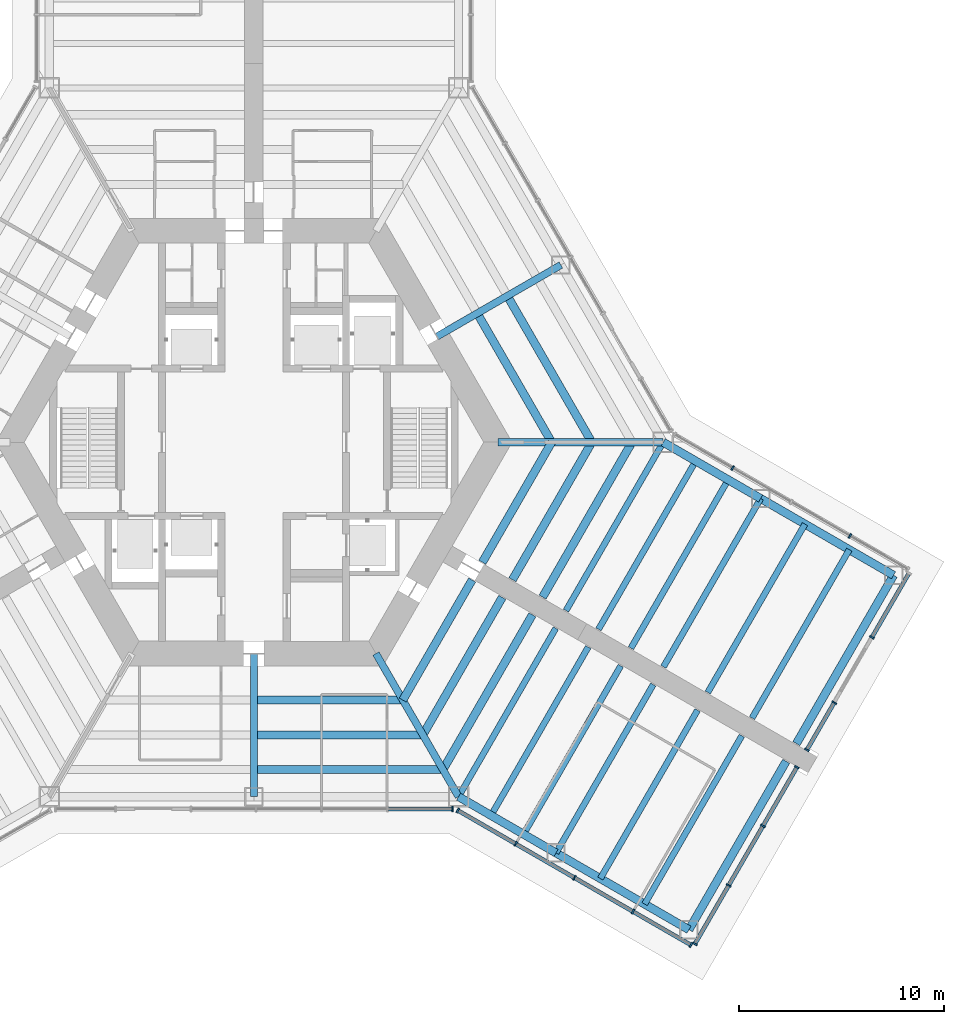
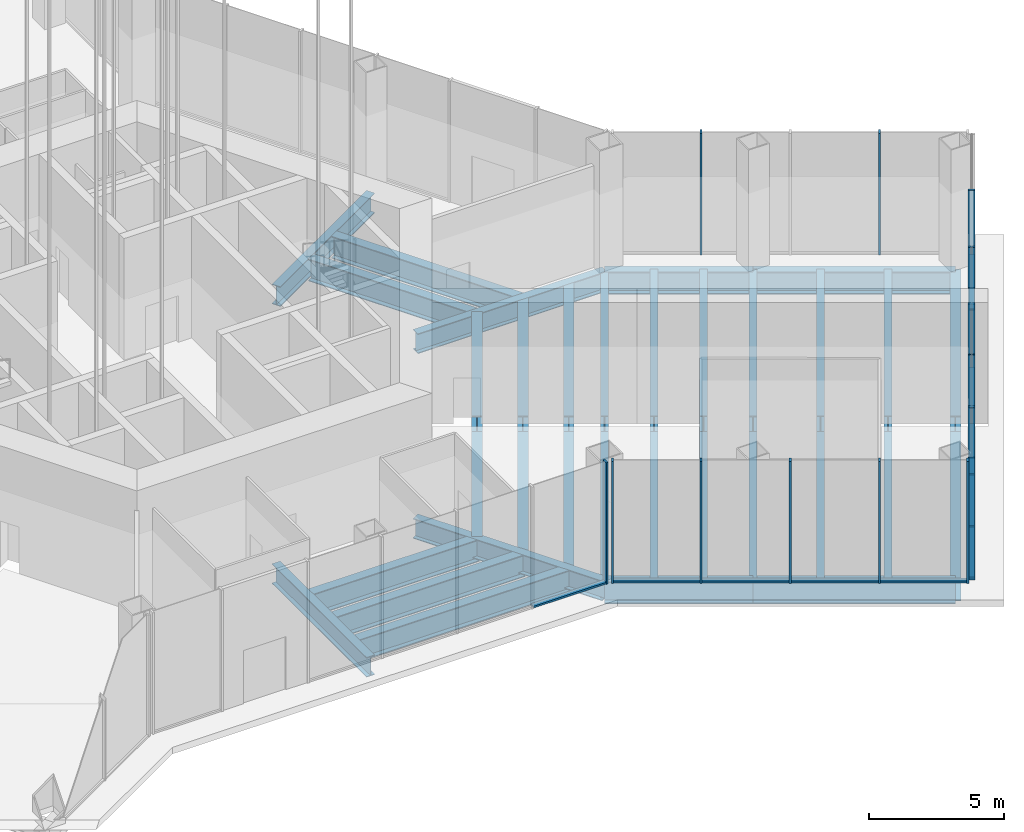
# One storey, part 4 of 18: 33 beams, 25 members, 6 elements without a shape of their own.
"""IFC4 building model written with IfcOpenShell, lengths in metres."""

from ifc_helpers import new_model, si_unit, direction, frame, origin, origin_2d, place, context, subcontext, project, spatial, rectangle, i_section, extrude, material, material_profile, profile_set, type_object, element, aggregate, save


model = new_model("IFC4")

# Units and contexts
model_context = context("Model", 3, precision=1e-05, world=origin(), true_north=direction((0.0, 1.0)))
body_context = subcontext(model_context, "Body", "Model", "MODEL_VIEW")
ifc_project = project(units=[si_unit("LENGTHUNIT", "METRE"), si_unit("AREAUNIT", "SQUARE_METRE"), si_unit("VOLUMEUNIT", "CUBIC_METRE"), si_unit("PLANEANGLEUNIT", "RADIAN"), si_unit("MASSUNIT", "GRAM", prefix="KILO")], contexts=[model_context])

# Site, building, storey
site_placement = place(None, origin())
site = spatial("IfcSite", under=ifc_project, at=site_placement, CompositionType="ELEMENT")
building_placement = place(site_placement, origin())
building = spatial("IfcBuilding", under=site, at=building_placement, Name="Kasaneha Research Tower", CompositionType="ELEMENT")
storey_placement = place(building_placement, origin())
storey = spatial("IfcBuildingStorey", under=building, at=storey_placement, Name="L01", CompositionType="ELEMENT", Elevation=0.0)

# Beams
ifc_material_1 = material(Name="Steel SN490B", Category="steel")
ifc_material_profile_1 = material_profile(ifc_material_1, i_section(OverallWidth=0.39990234375, OverallDepth=1.0, WebThickness=0.01904296875, FlangeThickness=0.035888671875, at=origin_2d()), Name="BH-1000x400x19x36")
ifc_profile_set_1 = profile_set([ifc_material_profile_1], Name="Steel SN490B")
beam_type_1 = type_object("IfcBeamType", Name="B1-0 secondary beam BH-1000x400x19x36", PredefinedType="JOIST", material=ifc_profile_set_1)
beam_1_placement = place(storey_placement, frame((14.54931640625, 0.0, -0.800048828125), z_axis=(-0.500000279077, 0.866025242659, 0.0), x_axis=(-0.866025242659, -0.500000279077, 0.0)))
element("IfcBeam", 1, at=beam_1_placement, inside=storey, type_object=beam_type_1, Name="Secondary beam RS030L1 L01", PredefinedType="JOIST", context=body_context, shape_type="SweptSolid", body=[
    extrude(i_section(OverallWidth=0.39990234375, OverallDepth=1.0, WebThickness=0.01904296875, FlangeThickness=0.035888671875, at=origin_2d()), origin(), (0.0, 0.0, 1.0), 7.099609375),
])
beam_2_placement = place(storey_placement, frame((16.51220703125, 0.0, -0.800048828125), z_axis=(-0.499992685514, 0.866029626764, 0.0), x_axis=(-0.866029626764, -0.499992685514, 0.0)))
element("IfcBeam", 2, at=beam_2_placement, inside=storey, type_object=beam_type_1, Name="Secondary beam RS030L2 L01", PredefinedType="JOIST", context=body_context, shape_type="SweptSolid", body=[
    extrude(i_section(OverallWidth=0.39990234375, OverallDepth=1.0, WebThickness=0.01904296875, FlangeThickness=0.035888671875, at=origin_2d()), origin(), (0.0, 0.0, 1.0), 8.0810546875),
])
beam_3_placement = place(storey_placement, frame((7.274658203125, -12.60009765625, -0.800048828125), z_axis=(-1.0, 0.0, 0.0), x_axis=(0.0, -1.0, 0.0)))
element("IfcBeam", 3, at=beam_3_placement, inside=storey, type_object=beam_type_1, Name="Secondary beam RS270R1 L01", PredefinedType="JOIST", context=body_context, shape_type="SweptSolid", body=[
    extrude(i_section(OverallWidth=0.39990234375, OverallDepth=1.0, WebThickness=0.01904296875, FlangeThickness=0.035888671875, at=origin_2d()), origin(), (0.0, 0.0, 1.0), 7.099609375),
])
beam_4_placement = place(storey_placement, frame((8.256103515625, -14.300048828125, -0.800048828125), z_axis=(-1.0, 0.0, 0.0), x_axis=(0.0, -1.0, 0.0)))
element("IfcBeam", 4, at=beam_4_placement, inside=storey, type_object=beam_type_1, Name="Secondary beam RS270R2 L01", PredefinedType="JOIST", context=body_context, shape_type="SweptSolid", body=[
    extrude(i_section(OverallWidth=0.39990234375, OverallDepth=1.0, WebThickness=0.01904296875, FlangeThickness=0.035888671875, at=origin_2d()), origin(), (0.0, 0.0, 1.0), 8.0810546875),
])
beam_5_placement = place(storey_placement, frame((9.237548828125, -16.0, -0.800048828125), z_axis=(-1.0, 0.0, 0.0), x_axis=(0.0, -1.0, 0.0)))
element("IfcBeam", 5, at=beam_5_placement, inside=storey, type_object=beam_type_1, Name="Secondary beam RS270R3 L01", PredefinedType="JOIST", context=body_context, shape_type="SweptSolid", body=[
    extrude(i_section(OverallWidth=0.39990234375, OverallDepth=1.0, WebThickness=0.01904296875, FlangeThickness=0.035888671875, at=origin_2d()), origin(), (0.0, 0.0, 1.0), 9.0625),
])
beam_6_placement = place(storey_placement, frame((7.274658203125, -12.60009765625, -0.800048828125), z_axis=(0.499976170333, 0.866039161412, 0.0), x_axis=(-0.866039161412, 0.499976170333, 0.0)))
element("IfcBeam", 6, at=beam_6_placement, inside=storey, type_object=beam_type_1, Name="Secondary beam RS330L1 L01", PredefinedType="JOIST", context=body_context, shape_type="SweptSolid", body=[
    extrude(i_section(OverallWidth=0.39990234375, OverallDepth=1.0, WebThickness=0.01904296875, FlangeThickness=0.035888671875, at=origin_2d()), origin(), (0.0, 0.0, 1.0), 6.774658203125),
])
beam_7_placement = place(storey_placement, frame((8.256103515625, -14.300048828125, -0.800048828125), z_axis=(0.500008546953, 0.866020469142, 0.0), x_axis=(-0.866020469142, 0.500008546953, 0.0)))
element("IfcBeam", 7, at=beam_7_placement, inside=storey, type_object=beam_type_1, Name="Secondary beam RS330L2 L01", PredefinedType="JOIST", context=body_context, shape_type="SweptSolid", body=[
    extrude(i_section(OverallWidth=0.39990234375, OverallDepth=1.0, WebThickness=0.01904296875, FlangeThickness=0.035888671875, at=origin_2d()), origin(), (0.0, 0.0, 1.0), 7.756103515625),
])
beam_8_placement = place(storey_placement, frame((9.237548828125, -16.0, -0.800048828125), z_axis=(0.500012694249, 0.866018074632, 0.0), x_axis=(-0.866018074632, 0.500012694249, 0.0)))
element("IfcBeam", 8, at=beam_8_placement, inside=storey, type_object=beam_type_1, Name="Secondary beam RS330L3 L01", PredefinedType="JOIST", context=body_context, shape_type="SweptSolid", body=[
    extrude(i_section(OverallWidth=0.39990234375, OverallDepth=1.0, WebThickness=0.01904296875, FlangeThickness=0.035888671875, at=origin_2d()), origin(), (0.0, 0.0, 1.0), 8.737548828125),
])
beam_9_placement = place(storey_placement, frame((14.54931640625, 0.0, -0.800048828125), z_axis=(-0.500018802781, -0.866014547721, 0.0), x_axis=(0.866014547721, -0.500018802781, 0.0)))
element("IfcBeam", 9, at=beam_9_placement, inside=storey, type_object=beam_type_1, Name="Secondary beam RS330R1 L01", PredefinedType="JOIST", context=body_context, shape_type="SweptSolid", body=[
    extrude(i_section(OverallWidth=0.39990234375, OverallDepth=1.0, WebThickness=0.01904296875, FlangeThickness=0.035888671875, at=origin_2d()), origin(), (0.0, 0.0, 1.0), 6.774658203125),
])
beam_10_placement = place(storey_placement, frame((16.51220703125, 0.0, -0.800048828125), z_axis=(-0.499984939085, -0.866034099033, 0.0), x_axis=(0.866034099033, -0.499984939085, 0.0)))
element("IfcBeam", 10, at=beam_10_placement, inside=storey, type_object=beam_type_1, Name="Secondary beam RS330R2 L01", PredefinedType="JOIST", context=body_context, shape_type="SweptSolid", body=[
    extrude(i_section(OverallWidth=0.39990234375, OverallDepth=1.0, WebThickness=0.01904296875, FlangeThickness=0.035888671875, at=origin_2d()), origin(), (0.0, 0.0, 1.0), 7.756103515625),
])
beam_11_placement = place(storey_placement, frame((18.47509765625, 0.0, -0.800048828125), z_axis=(-0.499991738058, -0.866030173766, 0.0), x_axis=(0.866030173766, -0.499991738058, 0.0)))
element("IfcBeam", 11, at=beam_11_placement, inside=storey, type_object=beam_type_1, Name="Secondary beam RS330R3 L01", PredefinedType="JOIST", context=body_context, shape_type="SweptSolid", body=[
    extrude(i_section(OverallWidth=0.39990234375, OverallDepth=1.0, WebThickness=0.01904296875, FlangeThickness=0.035888671875, at=origin_2d()), origin(), (0.0, 0.0, 1.0), 8.737548828125),
])
ifc_material_2 = material(Name="Steel SN490B", Category="steel")
ifc_material_profile_2 = material_profile(ifc_material_2, i_section(OverallWidth=0.300048828125, OverallDepth=0.800048828125, WebThickness=0.013916015625, FlangeThickness=0.02587890625, FilletRadius=0.01806640625, at=origin_2d()), Name="H-800x300x14x26")
ifc_profile_set_2 = profile_set([ifc_material_profile_2], Name="Steel SN490B")
beam_type_2 = type_object("IfcBeamType", Name="B2-0 secondary beam H-800x300x14x26", PredefinedType="JOIST", material=ifc_profile_set_2)
beam_12_placement = place(storey_placement, frame((11.587646484375, -18.237060546875, -0.699951171875), z_axis=(0.500008685663, 0.866020389056, 0.0), x_axis=(-0.866020389056, 0.500008685663, 0.0)))
element("IfcBeam", 12, at=beam_12_placement, inside=storey, type_object=beam_type_2, Name="Secondary beam WBCP1 L01", PredefinedType="JOIST", context=body_context, shape_type="SweptSolid", body=[
    extrude(i_section(OverallWidth=0.300048828125, OverallDepth=0.800048828125, WebThickness=0.013916015625, FlangeThickness=0.02587890625, FilletRadius=0.01806640625, at=origin_2d()), origin(), (0.0, 0.0, 1.0), 9.499755859375),
])
for number, where, z_axis, x_axis, name in (
    (13, (13.175537109375, -19.15380859375, -0.699951171875), (0.499997557548, 0.86602681393, 0.0), (-0.86602681393, 0.499997557548, 0.0), "Secondary beam WBCP2 L01"),
    (14, (16.92822265625, -21.320556640625, -0.699951171875), (0.499997557548, 0.86602681393, 0.0), (-0.86602681393, 0.499997557548, 0.0), "Secondary beam WBCP3 L01"),
    (15, (19.09326171875, -22.570556640625, -0.699951171875), (0.499997557548, 0.86602681393, 0.0), (-0.86602681393, 0.499997557548, 0.0), "Secondary beam WBCP4 L01"),
):
    element("IfcBeam", number, at=place(storey_placement, frame(where, z_axis=z_axis, x_axis=x_axis)), inside=storey, type_object=beam_type_2, Name=name, PredefinedType="JOIST", context=body_context, shape_type="SweptSolid", body=[
        extrude(i_section(OverallWidth=0.300048828125, OverallDepth=0.800048828125, WebThickness=0.013916015625, FlangeThickness=0.02587890625, FilletRadius=0.01806640625, at=origin_2d()), origin(), (0.0, 0.0, 1.0), 9.5),
    ])
beam_13_placement = place(storey_placement, frame((21.587646484375, -0.916748046875, -0.699951171875), z_axis=(-0.500008685663, -0.866020389056, 0.0), x_axis=(0.866020389056, -0.500008685663, 0.0)))
element("IfcBeam", 16, at=beam_13_placement, inside=storey, type_object=beam_type_2, Name="Secondary beam WBCN1 L01", PredefinedType="JOIST", context=body_context, shape_type="SweptSolid", body=[
    extrude(i_section(OverallWidth=0.300048828125, OverallDepth=0.800048828125, WebThickness=0.013916015625, FlangeThickness=0.02587890625, FilletRadius=0.01806640625, at=origin_2d()), origin(), (0.0, 0.0, 1.0), 9.499755859375),
])
for number, where, z_axis, x_axis, name in (
    (17, (23.175537109375, -1.833251953125, -0.699951171875), (-0.499997557548, -0.86602681393, 0.0), (0.86602681393, -0.499997557548, 0.0), "Secondary beam WBCN2 L01"),
    (18, (26.92822265625, -4.0, -0.699951171875), (-0.499997557548, -0.86602681393, 0.0), (0.86602681393, -0.499997557548, 0.0), "Secondary beam WBCN3 L01"),
    (19, (29.09326171875, -5.25, -0.699951171875), (-0.499997557548, -0.86602681393, 0.0), (0.86602681393, -0.499997557548, 0.0), "Secondary beam WBCN4 L01"),
):
    element("IfcBeam", number, at=place(storey_placement, frame(where, z_axis=z_axis, x_axis=x_axis)), inside=storey, type_object=beam_type_2, Name=name, PredefinedType="JOIST", context=body_context, shape_type="SweptSolid", body=[
        extrude(i_section(OverallWidth=0.300048828125, OverallDepth=0.800048828125, WebThickness=0.013916015625, FlangeThickness=0.02587890625, FilletRadius=0.01806640625, at=origin_2d()), origin(), (0.0, 0.0, 1.0), 9.5),
    ])

# Curtain wall, member
ifc_material_3 = material(Name="Glass and aluminium", Category="aluminium")
curtain_wall_type = type_object("IfcCurtainWallType", Name="Entrance hall curtain wall", PredefinedType="USERDEFINED", material=ifc_material_3)
curtain_wall_1_placement = place(storey_placement, origin())
curtain_wall_1 = element("IfcCurtainWall", 20, at=curtain_wall_1_placement, inside=storey, type_object=curtain_wall_type, Name="CW-H L01 run 02c", ObjectType="UNITISED CURTAIN WALL", PredefinedType="USERDEFINED")
ifc_material_4 = material(Name="Aluminium 6063-T6", Category="aluminium")
ifc_material_profile_3 = material_profile(ifc_material_4, rectangle(XDim=0.080078125, YDim=0.25, at=origin_2d()), Name="CW-H mullion 80x250")
ifc_profile_set_3 = profile_set([ifc_material_profile_3], Name="Aluminium 6063-T6")
member_type_1 = type_object("IfcMemberType", Name="CW-H mullion", PredefinedType="MULLION", material=ifc_profile_set_3)
member_1_placement = place(storey_placement, frame((9.69921875, -17.92041015625, 0.0), z_axis=(0.0, 0.0, 1.0), x_axis=(1.0, 0.0, 0.0)))
member_1 = element("IfcMember", 21, at=member_1_placement, type_object=member_type_1, Name="CW-H mullion 5", PredefinedType="MULLION", context=body_context, shape_type="SweptSolid", body=[
    extrude(rectangle(XDim=0.080078125, YDim=0.25, at=origin_2d()), origin(), (0.0, 0.0, 1.0), 5.5),
])

# Curtain wall, members
curtain_wall_2_placement = place(storey_placement, origin())
curtain_wall_2 = element("IfcCurtainWall", 22, at=curtain_wall_2_placement, inside=storey, type_object=curtain_wall_type, Name="CW-H L01 run 03a", ObjectType="UNITISED CURTAIN WALL", PredefinedType="USERDEFINED")
member_2_placement = place(storey_placement, frame((9.96044921875, -17.990478515625, 0.0), z_axis=(0.0, 0.0, 1.0), x_axis=(0.866025411464, -0.499999986699, 0.0)))
member_2 = element("IfcMember", 23, at=member_2_placement, type_object=member_type_1, Name="CW-H mullion 1", PredefinedType="MULLION", context=body_context, shape_type="SweptSolid", body=[
    extrude(rectangle(XDim=0.080078125, YDim=0.25, at=origin_2d()), origin(), (0.0, 0.0, 1.0), 5.5),
])
member_3_placement = place(storey_placement, frame((12.792236328125, -19.62548828125, 0.0), z_axis=(0.0, 0.0, 1.0), x_axis=(0.866025411464, -0.499999986699, 0.0)))
member_3 = element("IfcMember", 24, at=member_3_placement, type_object=member_type_1, Name="CW-H mullion 2", PredefinedType="MULLION", context=body_context, shape_type="SweptSolid", body=[
    extrude(rectangle(XDim=0.080078125, YDim=0.25, at=origin_2d()), origin(), (0.0, 0.0, 1.0), 5.5),
])
member_4_placement = place(storey_placement, frame((15.65869140625, -21.2802734375, 0.0), z_axis=(0.0, 0.0, 1.0), x_axis=(0.866025411464, -0.499999986699, 0.0)))
member_4 = element("IfcMember", 25, at=member_4_placement, type_object=member_type_1, Name="CW-H mullion 3", PredefinedType="MULLION", context=body_context, shape_type="SweptSolid", body=[
    extrude(rectangle(XDim=0.080078125, YDim=0.25, at=origin_2d()), origin(), (0.0, 0.0, 1.0), 5.5),
])
member_5_placement = place(storey_placement, frame((18.52490234375, -22.935302734375, 0.0), z_axis=(0.0, 0.0, 1.0), x_axis=(0.866025411464, -0.499999986699, 0.0)))
member_5 = element("IfcMember", 26, at=member_5_placement, type_object=member_type_1, Name="CW-H mullion 4", PredefinedType="MULLION", context=body_context, shape_type="SweptSolid", body=[
    extrude(rectangle(XDim=0.080078125, YDim=0.25, at=origin_2d()), origin(), (0.0, 0.0, 1.0), 5.5),
])
member_6_placement = place(storey_placement, frame((21.356689453125, -24.570068359375, 0.0), z_axis=(0.0, 0.0, 1.0), x_axis=(0.866025411464, -0.499999986699, 0.0)))
member_6 = element("IfcMember", 27, at=member_6_placement, type_object=member_type_1, Name="CW-H mullion 5", PredefinedType="MULLION", context=body_context, shape_type="SweptSolid", body=[
    extrude(rectangle(XDim=0.080078125, YDim=0.25, at=origin_2d()), origin(), (0.0, 0.0, 1.0), 5.5),
])

curtain_wall_3_placement = place(storey_placement, origin())
curtain_wall_3 = element("IfcCurtainWall", 28, at=curtain_wall_3_placement, inside=storey, type_object=curtain_wall_type, Name="CW-H L01 run 04a", ObjectType="UNITISED CURTAIN WALL", PredefinedType="USERDEFINED")
member_7_placement = place(storey_placement, frame((21.5478515625, -24.518798828125, 0.0), z_axis=(0.0, 0.0, 1.0), x_axis=(0.500000011442, 0.866025397178, 0.0)))
member_7 = element("IfcMember", 29, at=member_7_placement, type_object=member_type_1, Name="CW-H mullion 1", PredefinedType="MULLION", context=body_context, shape_type="SweptSolid", body=[
    extrude(rectangle(XDim=0.080078125, YDim=0.25, at=origin_2d()), origin(), (0.0, 0.0, 1.0), 5.5),
])
member_8_placement = place(storey_placement, frame((23.202880859375, -21.65234375, 0.0), z_axis=(0.0, 0.0, 1.0), x_axis=(0.500000011442, 0.866025397178, 0.0)))
member_8 = element("IfcMember", 30, at=member_8_placement, type_object=member_type_1, Name="CW-H mullion 2", PredefinedType="MULLION", context=body_context, shape_type="SweptSolid", body=[
    extrude(rectangle(XDim=0.080078125, YDim=0.25, at=origin_2d()), origin(), (0.0, 0.0, 1.0), 5.5),
])
member_9_placement = place(storey_placement, frame((24.8779296875, -18.751220703125, 0.0), z_axis=(0.0, 0.0, 1.0), x_axis=(0.500000011442, 0.866025397178, 0.0)))
member_9 = element("IfcMember", 31, at=member_9_placement, type_object=member_type_1, Name="CW-H mullion 3", PredefinedType="MULLION", context=body_context, shape_type="SweptSolid", body=[
    extrude(rectangle(XDim=0.080078125, YDim=0.25, at=origin_2d()), origin(), (0.0, 0.0, 1.0), 5.5),
])
member_10_placement = place(storey_placement, frame((26.532958984375, -15.884521484375, 0.0), z_axis=(0.0, 0.0, 1.0), x_axis=(0.500000011442, 0.866025397178, 0.0)))
member_10 = element("IfcMember", 32, at=member_10_placement, type_object=member_type_1, Name="CW-H mullion 4", PredefinedType="MULLION", context=body_context, shape_type="SweptSolid", body=[
    extrude(rectangle(XDim=0.080078125, YDim=0.25, at=origin_2d()), origin(), (0.0, 0.0, 1.0), 5.5),
])

curtain_wall_4_placement = place(storey_placement, origin())
curtain_wall_4 = element("IfcCurtainWall", 33, at=curtain_wall_4_placement, inside=storey, type_object=curtain_wall_type, Name="CW-H L01 run 05a", ObjectType="UNITISED CURTAIN WALL", PredefinedType="USERDEFINED")
member_11_placement = place(storey_placement, frame((27.02294921875, -15.035888671875, 0.0), z_axis=(0.0, 0.0, 1.0), x_axis=(0.500000011442, 0.866025397178, 0.0)))
member_11 = element("IfcMember", 34, at=member_11_placement, type_object=member_type_1, Name="CW-H mullion 1", PredefinedType="MULLION", context=body_context, shape_type="SweptSolid", body=[
    extrude(rectangle(XDim=0.080078125, YDim=0.25, at=origin_2d()), origin(), (0.0, 0.0, 1.0), 5.5),
])
member_12_placement = place(storey_placement, frame((28.35791015625, -12.7236328125, 0.0), z_axis=(0.0, 0.0, 1.0), x_axis=(0.500000011442, 0.866025397178, 0.0)))
member_12 = element("IfcMember", 35, at=member_12_placement, type_object=member_type_1, Name="CW-H mullion 2", PredefinedType="MULLION", context=body_context, shape_type="SweptSolid", body=[
    extrude(rectangle(XDim=0.080078125, YDim=0.25, at=origin_2d()), origin(), (0.0, 0.0, 1.0), 5.5),
])

# Curtain wall, member
curtain_wall_5_placement = place(storey_placement, origin())
curtain_wall_5 = element("IfcCurtainWall", 36, at=curtain_wall_5_placement, inside=storey, type_object=curtain_wall_type, Name="CW-H L01 run 05c", ObjectType="UNITISED CURTAIN WALL", PredefinedType="USERDEFINED")
member_13_placement = place(storey_placement, frame((30.197998046875, -9.53662109375, 0.0), z_axis=(0.0, 0.0, 1.0), x_axis=(0.500000011442, 0.866025397178, 0.0)))
member_13 = element("IfcMember", 37, at=member_13_placement, type_object=member_type_1, Name="CW-H mullion 1", PredefinedType="MULLION", context=body_context, shape_type="SweptSolid", body=[
    extrude(rectangle(XDim=0.080078125, YDim=0.25, at=origin_2d()), origin(), (0.0, 0.0, 1.0), 5.5),
])

# Curtain wall, members
curtain_wall_6_placement = place(storey_placement, origin())
curtain_wall_6 = element("IfcCurtainWall", 38, at=curtain_wall_6_placement, inside=storey, type_object=curtain_wall_type, Name="CW-H L01 run 06a", ObjectType="UNITISED CURTAIN WALL", PredefinedType="USERDEFINED")
member_14_placement = place(storey_placement, frame((29.125, -4.575439453125, 0.0), z_axis=(0.0, 0.0, 1.0), x_axis=(-0.866025411464, 0.499999986699, 0.0)))
member_14 = element("IfcMember", 39, at=member_14_placement, type_object=member_type_1, Name="CW-H mullion 2", PredefinedType="MULLION", context=body_context, shape_type="SweptSolid", body=[
    extrude(rectangle(XDim=0.080078125, YDim=0.25, at=origin_2d()), origin(), (0.0, 0.0, 1.0), 5.5),
])
member_15_placement = place(storey_placement, frame((23.39208984375, -1.265625, 0.0), z_axis=(0.0, 0.0, 1.0), x_axis=(-0.866025411464, 0.499999986699, 0.0)))
member_15 = element("IfcMember", 40, at=member_15_placement, type_object=member_type_1, Name="CW-H mullion 4", PredefinedType="MULLION", context=body_context, shape_type="SweptSolid", body=[
    extrude(rectangle(XDim=0.080078125, YDim=0.25, at=origin_2d()), origin(), (0.0, 0.0, 1.0), 5.5),
])
aggregate(curtain_wall_6, [member_14, member_15])

# Member
ifc_material_5 = material(Name="Aluminium 6063-T6", Category="aluminium")
ifc_material_profile_4 = material_profile(ifc_material_5, rectangle(XDim=0.199951171875, YDim=0.080078125, at=origin_2d()), Name="CW-H transom 200x80")
ifc_profile_set_4 = profile_set([ifc_material_profile_4], Name="Aluminium 6063-T6")
member_type_2 = type_object("IfcMemberType", Name="CW-H transom", PredefinedType="USERDEFINED", material=ifc_profile_set_4)
member_16_placement = place(storey_placement, frame((6.564453125, -17.92041015625, 0.0400390625), z_axis=(1.0, 0.0, 0.0), x_axis=(0.0, 1.0, 0.0)))
member_16 = element("IfcMember", 41, at=member_16_placement, type_object=member_type_2, Name="CW-H transom 4", ObjectType="TRANSOM", PredefinedType="USERDEFINED", context=body_context, shape_type="SweptSolid", body=[
    extrude(rectangle(XDim=0.199951171875, YDim=0.080078125, at=origin_2d()), origin(), (0.0, 0.0, 1.0), 3.0947265625),
])

aggregate(curtain_wall_1, [member_1, member_16])

member_17_placement = place(storey_placement, frame((9.9951171875, -18.010498046875, 0.0400390625), z_axis=(0.866016067539, -0.500016170502, 0.0), x_axis=(0.500016170502, 0.866016067539, 0.0)))
member_17 = element("IfcMember", 42, at=member_17_placement, type_object=member_type_2, Name="CW-H transom 1", ObjectType="TRANSOM", PredefinedType="USERDEFINED", context=body_context, shape_type="SweptSolid", body=[
    extrude(rectangle(XDim=0.199951171875, YDim=0.080078125, at=origin_2d()), origin(), (0.0, 0.0, 1.0), 3.18994140625),
])

member_18_placement = place(storey_placement, frame((12.826904296875, -19.6455078125, 0.0400390625), z_axis=(0.866048381815, -0.499960198771, 0.0), x_axis=(0.499960198771, 0.866048381815, 0.0)))
member_18 = element("IfcMember", 43, at=member_18_placement, type_object=member_type_2, Name="CW-H transom 2", ObjectType="TRANSOM", PredefinedType="USERDEFINED", context=body_context, shape_type="SweptSolid", body=[
    extrude(rectangle(XDim=0.199951171875, YDim=0.080078125, at=origin_2d()), origin(), (0.0, 0.0, 1.0), 3.229736328125),
])

member_19_placement = place(storey_placement, frame((15.693115234375, -21.30029296875, 0.0400390625), z_axis=(0.866015650984, -0.500016891966, 0.0), x_axis=(0.500016891966, 0.866015650984, 0.0)))
member_19 = element("IfcMember", 44, at=member_19_placement, type_object=member_type_2, Name="CW-H transom 3", ObjectType="TRANSOM", PredefinedType="USERDEFINED", context=body_context, shape_type="SweptSolid", body=[
    extrude(rectangle(XDim=0.199951171875, YDim=0.080078125, at=origin_2d()), origin(), (0.0, 0.0, 1.0), 3.22998046875),
])

member_20_placement = place(storey_placement, frame((18.5595703125, -22.955322265625, 0.0400390625), z_axis=(0.866049209109, -0.499958765701, 0.0), x_axis=(0.499958765701, 0.866049209109, 0.0)))
member_20 = element("IfcMember", 45, at=member_20_placement, type_object=member_type_2, Name="CW-H transom 4", ObjectType="TRANSOM", PredefinedType="USERDEFINED", context=body_context, shape_type="SweptSolid", body=[
    extrude(rectangle(XDim=0.199951171875, YDim=0.080078125, at=origin_2d()), origin(), (0.0, 0.0, 1.0), 3.189697265625),
])

aggregate(curtain_wall_2, [member_2, member_3, member_4, member_5, member_6, member_17, member_18, member_19, member_20])

member_21_placement = place(storey_placement, frame((21.56787109375, -24.484130859375, 0.0400390625), z_axis=(0.500016891966, 0.866015650984, 0.0), x_axis=(-0.866015650984, 0.500016891966, 0.0)))
member_21 = element("IfcMember", 46, at=member_21_placement, type_object=member_type_2, Name="CW-H transom 1", ObjectType="TRANSOM", PredefinedType="USERDEFINED", context=body_context, shape_type="SweptSolid", body=[
    extrude(rectangle(XDim=0.199951171875, YDim=0.080078125, at=origin_2d()), origin(), (0.0, 0.0, 1.0), 3.22998046875),
])

member_22_placement = place(storey_placement, frame((23.222900390625, -21.61767578125, 0.0400390625), z_axis=(0.500017595764, 0.866015244627, 0.0), x_axis=(-0.866015244627, 0.500017595764, 0.0)))
member_22 = element("IfcMember", 47, at=member_22_placement, type_object=member_type_2, Name="CW-H transom 2", ObjectType="TRANSOM", PredefinedType="USERDEFINED", context=body_context, shape_type="SweptSolid", body=[
    extrude(rectangle(XDim=0.199951171875, YDim=0.080078125, at=origin_2d()), origin(), (0.0, 0.0, 1.0), 3.27001953125),
])

member_23_placement = place(storey_placement, frame((24.89794921875, -18.716552734375, 0.0400390625), z_axis=(0.499984162302, 0.866034547491, 0.0), x_axis=(-0.866034547491, 0.499984162302, 0.0)))
member_23 = element("IfcMember", 48, at=member_23_placement, type_object=member_type_2, Name="CW-H transom 3", ObjectType="TRANSOM", PredefinedType="USERDEFINED", context=body_context, shape_type="SweptSolid", body=[
    extrude(rectangle(XDim=0.199951171875, YDim=0.080078125, at=origin_2d()), origin(), (0.0, 0.0, 1.0), 3.22998046875),
])

aggregate(curtain_wall_3, [member_7, member_8, member_9, member_10, member_21, member_22, member_23])

member_24_placement = place(storey_placement, frame((27.04296875, -15.001220703125, 0.0400390625), z_axis=(0.499991733496, 0.8660301764, 0.0), x_axis=(-0.8660301764, 0.499991733496, 0.0)))
member_24 = element("IfcMember", 49, at=member_24_placement, type_object=member_type_2, Name="CW-H transom 1", ObjectType="TRANSOM", PredefinedType="USERDEFINED", context=body_context, shape_type="SweptSolid", body=[
    extrude(rectangle(XDim=0.199951171875, YDim=0.080078125, at=origin_2d()), origin(), (0.0, 0.0, 1.0), 2.58984375),
])

aggregate(curtain_wall_4, [member_11, member_12, member_24])

member_25_placement = place(storey_placement, frame((30.218017578125, -9.501953125, 0.0400390625), z_axis=(0.500011000363, 0.866019052629, 0.0), x_axis=(-0.866019052629, 0.500011000363, 0.0)))
member_25 = element("IfcMember", 50, at=member_25_placement, type_object=member_type_2, Name="CW-H transom 1", ObjectType="TRANSOM", PredefinedType="USERDEFINED", context=body_context, shape_type="SweptSolid", body=[
    extrude(rectangle(XDim=0.199951171875, YDim=0.080078125, at=origin_2d()), origin(), (0.0, 0.0, 1.0), 3.5400390625),
])

aggregate(curtain_wall_5, [member_13, member_25])

# Beams
ifc_material_6 = material(Name="Steel SN490B", Category="steel")
ifc_material_profile_5 = material_profile(ifc_material_6, i_section(OverallWidth=0.35009765625, OverallDepth=0.89990234375, WebThickness=0.01611328125, FlangeThickness=0.031982421875, at=origin_2d()), Name="BH-900x350x16x32")
ifc_profile_set_5 = profile_set([ifc_material_profile_5], Name="Steel SN490B")
beam_type_3 = type_object("IfcBeamType", Name="G1-0 radial girder BH-900x350x16x32", PredefinedType="BEAM", material=ifc_profile_set_5)
beam_14_placement = place(storey_placement, frame((11.92236328125, 0.0, -0.75), z_axis=(1.0, 0.0, 0.0), x_axis=(0.0, 1.0, 0.0)))
element("IfcBeam", 51, at=beam_14_placement, inside=storey, type_object=beam_type_3, Name="Radial girder RV000 L01", PredefinedType="BEAM", context=body_context, shape_type="SweptSolid", body=[
    extrude(i_section(OverallWidth=0.35009765625, OverallDepth=0.89990234375, WebThickness=0.01611328125, FlangeThickness=0.031982421875, at=origin_2d()), origin(), (0.0, 0.0, 1.0), 8.07763671875),
])
beam_15_placement = place(storey_placement, frame((5.961181640625, -10.324951171875, -0.75), z_axis=(0.49999105496, -0.866030568144, 0.0), x_axis=(0.866030568144, 0.49999105496, 0.0)))
element("IfcBeam", 52, at=beam_15_placement, inside=storey, type_object=beam_type_3, Name="Radial girder RV300 L01", PredefinedType="BEAM", context=body_context, shape_type="SweptSolid", body=[
    extrude(i_section(OverallWidth=0.35009765625, OverallDepth=0.89990234375, WebThickness=0.01611328125, FlangeThickness=0.031982421875, at=origin_2d()), origin(), (0.0, 0.0, 1.0), 8.077880859375),
])
ifc_material_7 = material(Name="Steel SN490B", Category="steel")
ifc_material_profile_6 = material_profile(ifc_material_7, i_section(OverallWidth=0.35009765625, OverallDepth=0.89990234375, WebThickness=0.01611328125, FlangeThickness=0.031982421875, at=origin_2d()), Name="BH-900x350x16x32")
ifc_profile_set_6 = profile_set([ifc_material_profile_6], Name="Steel SN490B")
beam_type_4 = type_object("IfcBeamType", Name="G2-0 radial girder BH-900x350x16x32", PredefinedType="BEAM", material=ifc_profile_set_6)
beam_16_placement = place(storey_placement, frame((8.941650390625, 5.16259765625, -0.75), z_axis=(0.866039713508, 0.499975214012, 0.0), x_axis=(-0.499975214012, 0.866039713508, 0.0)))
element("IfcBeam", 53, at=beam_16_placement, inside=storey, type_object=beam_type_4, Name="Radial girder RM030 L01", PredefinedType="BEAM", context=body_context, shape_type="SweptSolid", body=[
    extrude(i_section(OverallWidth=0.35009765625, OverallDepth=0.89990234375, WebThickness=0.01611328125, FlangeThickness=0.031982421875, at=origin_2d()), origin(), (0.0, 0.0, 1.0), 6.995361328125),
])
beam_17_placement = place(storey_placement, frame((0.0, -10.324951171875, -0.75), z_axis=(0.0, -1.0, 0.0), x_axis=(1.0, 0.0, 0.0)))
element("IfcBeam", 54, at=beam_17_placement, inside=storey, type_object=beam_type_4, Name="Radial girder RM270 L01", PredefinedType="BEAM", context=body_context, shape_type="SweptSolid", body=[
    extrude(i_section(OverallWidth=0.35009765625, OverallDepth=0.89990234375, WebThickness=0.01611328125, FlangeThickness=0.031982421875, at=origin_2d()), origin(), (0.0, 0.0, 1.0), 6.99560546875),
])
ifc_material_8 = material(Name="Steel SN490B", Category="steel")
ifc_material_profile_7 = material_profile(ifc_material_8, i_section(OverallWidth=0.299072265625, OverallDepth=0.889892578125, WebThickness=0.014892578125, FlangeThickness=0.02294921875, FilletRadius=0.01806640625, at=origin_2d()), Name="H-890x299x15x23")
ifc_profile_set_7 = profile_set([ifc_material_profile_7], Name="Steel SN490B")
beam_type_5 = type_object("IfcBeamType", Name="G3-0 plate edge girder H-890x299x15x23", PredefinedType="BEAM", material=ifc_profile_set_7)
for number, where, z_axis, x_axis, name in (
    (55, (10.0, -17.320556640625, -0.7451171875), (0.499997557548, 0.86602681393, 0.0), (-0.86602681393, 0.499997557548, 0.0), "Plate edge girder PECP L01"),
    (56, (20.0, 0.0, -0.7451171875), (-0.499997557548, -0.86602681393, 0.0), (0.86602681393, -0.499997557548, 0.0), "Plate edge girder PECN L01"),
):
    element("IfcBeam", number, at=place(storey_placement, frame(where, z_axis=z_axis, x_axis=x_axis)), inside=storey, type_object=beam_type_5, Name=name, PredefinedType="BEAM", context=body_context, shape_type="SweptSolid", body=[
        extrude(i_section(OverallWidth=0.299072265625, OverallDepth=0.889892578125, WebThickness=0.014892578125, FlangeThickness=0.02294921875, FilletRadius=0.01806640625, at=origin_2d()), origin(), (0.0, 0.0, 1.0), 9.5),
    ])
ifc_material_9 = material(Name="Steel SN490B", Category="steel")
ifc_material_profile_8 = material_profile(ifc_material_9, i_section(OverallWidth=0.300048828125, OverallDepth=0.89990234375, WebThickness=0.01611328125, FlangeThickness=0.028076171875, FilletRadius=0.01806640625, at=origin_2d()), Name="H-900x300x16x28")
ifc_profile_set_8 = profile_set([ifc_material_profile_8], Name="Steel SN490B")
beam_type_6 = type_object("IfcBeamType", Name="G4-0 wing girder H-900x300x16x28", PredefinedType="BEAM", material=ifc_profile_set_8)
for number, where, z_axis, x_axis, name in (
    (57, (14.76318359375, -20.070556640625, -0.75), (0.499997557548, 0.86602681393, 0.0), (-0.86602681393, 0.499997557548, 0.0), "Wing girder WGCP L01"),
    (58, (24.76318359375, -2.75, -0.75), (-0.499997557548, -0.86602681393, 0.0), (0.86602681393, -0.499997557548, 0.0), "Wing girder WGCN L01"),
):
    element("IfcBeam", number, at=place(storey_placement, frame(where, z_axis=z_axis, x_axis=x_axis)), inside=storey, type_object=beam_type_6, Name=name, PredefinedType="BEAM", context=body_context, shape_type="SweptSolid", body=[
        extrude(i_section(OverallWidth=0.300048828125, OverallDepth=0.89990234375, WebThickness=0.01611328125, FlangeThickness=0.028076171875, FilletRadius=0.01806640625, at=origin_2d()), origin(), (0.0, 0.0, 1.0), 9.5),
    ])
ifc_material_10 = material(Name="Steel SN490B", Category="steel")
ifc_material_profile_9 = material_profile(ifc_material_10, i_section(OverallWidth=0.39990234375, OverallDepth=1.0, WebThickness=0.01904296875, FlangeThickness=0.035888671875, at=origin_2d()), Name="BH-1000x400x19x36")
ifc_profile_set_9 = profile_set([ifc_material_profile_9], Name="Steel SN490B")
beam_type_7 = type_object("IfcBeamType", Name="SB2-0 spandrel beam BH-1000x400x19x36", PredefinedType="SPANDREL", material=ifc_profile_set_9)
beam_18_placement = place(storey_placement, frame((10.0, -17.320556640625, -0.800048828125), z_axis=(0.866027397988, -0.499996545922, 0.0), x_axis=(0.499996545922, 0.866027397988, 0.0)))
element("IfcBeam", 59, at=beam_18_placement, inside=storey, type_object=beam_type_7, Name="Spandrel beam WSCP1 L01", PredefinedType="SPANDREL", context=body_context, shape_type="SweptSolid", body=[
    extrude(i_section(OverallWidth=0.39990234375, OverallDepth=1.0, WebThickness=0.01904296875, FlangeThickness=0.035888671875, at=origin_2d()), origin(), (0.0, 0.0, 1.0), 5.5),
])
beam_19_placement = place(storey_placement, frame((14.76318359375, -20.070556640625, -0.800048828125), z_axis=(0.866022959057, -0.500004234368, 0.0), x_axis=(0.500004234368, 0.866022959057, 0.0)))
element("IfcBeam", 60, at=beam_19_placement, inside=storey, type_object=beam_type_7, Name="Spandrel beam WSCP2 L01", PredefinedType="SPANDREL", context=body_context, shape_type="SweptSolid", body=[
    extrude(i_section(OverallWidth=0.39990234375, OverallDepth=1.0, WebThickness=0.01904296875, FlangeThickness=0.035888671875, at=origin_2d()), origin(), (0.0, 0.0, 1.0), 7.5),
])
beam_20_placement = place(storey_placement, frame((20.0, 0.0, -0.800048828125), z_axis=(0.866027397988, -0.499996545922, 0.0), x_axis=(0.499996545922, 0.866027397988, 0.0)))
element("IfcBeam", 61, at=beam_20_placement, inside=storey, type_object=beam_type_7, Name="Spandrel beam WSCN1 L01", PredefinedType="SPANDREL", context=body_context, shape_type="SweptSolid", body=[
    extrude(i_section(OverallWidth=0.39990234375, OverallDepth=1.0, WebThickness=0.01904296875, FlangeThickness=0.035888671875, at=origin_2d()), origin(), (0.0, 0.0, 1.0), 5.5),
])
beam_21_placement = place(storey_placement, frame((24.76318359375, -2.75, -0.800048828125), z_axis=(0.866022959057, -0.500004234368, 0.0), x_axis=(0.500004234368, 0.866022959057, 0.0)))
element("IfcBeam", 62, at=beam_21_placement, inside=storey, type_object=beam_type_7, Name="Spandrel beam WSCN2 L01", PredefinedType="SPANDREL", context=body_context, shape_type="SweptSolid", body=[
    extrude(i_section(OverallWidth=0.39990234375, OverallDepth=1.0, WebThickness=0.01904296875, FlangeThickness=0.035888671875, at=origin_2d()), origin(), (0.0, 0.0, 1.0), 7.5),
])
ifc_material_11 = material(Name="Steel SN490B", Category="steel")
ifc_material_profile_10 = material_profile(ifc_material_11, i_section(OverallWidth=0.39990234375, OverallDepth=1.0, WebThickness=0.02197265625, FlangeThickness=0.0400390625, at=origin_2d()), Name="BH-1000x400x22x40")
ifc_profile_set_10 = profile_set([ifc_material_profile_10], Name="Steel SN490B")
beam_type_8 = type_object("IfcBeamType", Name="SB3-0 spandrel beam BH-1000x400x22x40", PredefinedType="SPANDREL", material=ifc_profile_set_10)
for number, where, z_axis, x_axis, name in (
    (63, (21.25830078125, -23.820556640625, -0.800048828125), (0.499997557548, 0.86602681393, 0.0), (-0.86602681393, 0.499997557548, 0.0), "Spandrel beam WTCP L01"),
    (64, (31.25830078125, -6.5, -0.800048828125), (-0.499997557548, -0.86602681393, 0.0), (0.86602681393, -0.499997557548, 0.0), "Spandrel beam WTCN L01"),
):
    element("IfcBeam", number, at=place(storey_placement, frame(where, z_axis=z_axis, x_axis=x_axis)), inside=storey, type_object=beam_type_8, Name=name, PredefinedType="SPANDREL", context=body_context, shape_type="SweptSolid", body=[
        extrude(i_section(OverallWidth=0.39990234375, OverallDepth=1.0, WebThickness=0.02197265625, FlangeThickness=0.0400390625, at=origin_2d()), origin(), (0.0, 0.0, 1.0), 9.5),
    ])

save(model, "model.ifc")
